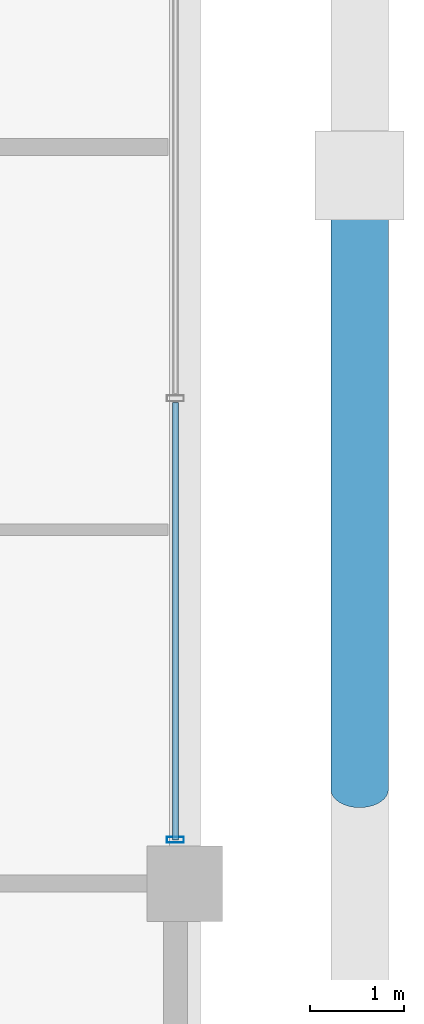
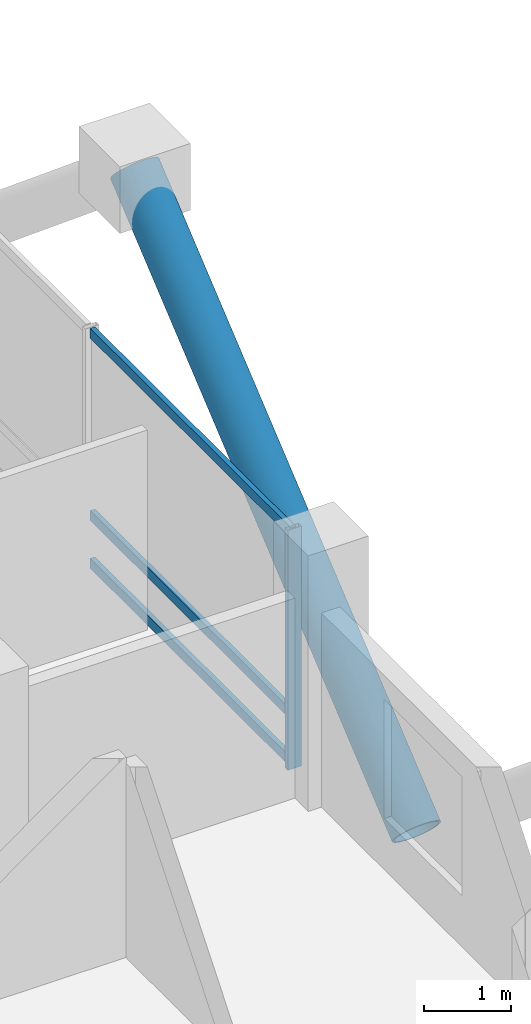
# One storey, part 8 of 23: 5 members, 1 element without a shape of its own.
"""IFC4 building model written with IfcOpenShell, lengths in metres."""

from ifc_helpers import new_model, si_unit, direction, frame, origin, origin_2d, place, context, subcontext, project, spatial, hollow_rectangle, hollow_circle, extrude, material, layer, layer_set, material_profile, profile_set, type_object, element, aggregate, save


model = new_model("IFC4")

# Units and contexts
model_context = context("Model", 3, precision=1e-05, world=origin(), true_north=direction((0.0, 1.0)))
body_context = subcontext(model_context, "Body", "Model", "MODEL_VIEW")
ifc_project = project(units=[si_unit("LENGTHUNIT", "METRE"), si_unit("AREAUNIT", "SQUARE_METRE"), si_unit("VOLUMEUNIT", "CUBIC_METRE"), si_unit("PLANEANGLEUNIT", "RADIAN"), si_unit("MASSUNIT", "GRAM", prefix="KILO")], contexts=[model_context])

# Site, building, storey
site_placement = place(None, origin())
site = spatial("IfcSite", under=ifc_project, at=site_placement, CompositionType="ELEMENT")
building_placement = place(site_placement, origin())
building = spatial("IfcBuilding", under=site, at=building_placement, Name="Barlavira Tower and Art Museum", CompositionType="ELEMENT")
storey_placement = place(building_placement, frame((0.0, 0.0, 68.39990234375)))
storey = spatial("IfcBuildingStorey", under=building, at=storey_placement, Name="L16", CompositionType="ELEMENT", Elevation=68.39990234375)

# Curtain wall, members
ifc_material_1 = material(Name="Low-iron coastal laminated glass", Category="glass")
ifc_layer = layer(ifc_material_1, 0.179931640625, Name="Low-iron coastal laminated glass")
ifc_layer_set = layer_set([ifc_layer], Name="Low-iron coastal laminated glass")
curtain_wall_type = type_object("IfcCurtainWallType", Name="Pale-Metal Unitised Curtain Wall Zone 1", PredefinedType="NOTDEFINED", material=ifc_layer_set)
curtain_wall_placement = place(storey_placement, origin())
curtain_wall = element("IfcCurtainWall", 1, at=curtain_wall_placement, inside=storey, type_object=curtain_wall_type, Name="L16 Curtain Wall CW1-L16-E-B3", PredefinedType="NOTDEFINED")
ifc_material_2 = material(Name="Pale anodised aluminium", Category="aluminium")
ifc_material_profile_1 = material_profile(ifc_material_2, hollow_rectangle(XDim=0.06494140625, YDim=0.179931640625, WallThickness=0.00390625, at=origin_2d()), Name="ALU-MULL 65x180x4")
ifc_profile_set_1 = profile_set([ifc_material_profile_1], Name="Pale anodised aluminium")
member_type_1 = type_object("IfcMemberType", Name="Curtain Wall Pale-Metal Mullion 65x180", PredefinedType="MULLION", material=ifc_profile_set_1)
member_1_placement = place(storey_placement, frame((21.89990234375, -7.034912109375, 0.0), z_axis=(0.0, 0.0, 1.0), x_axis=(0.0, 1.0, 0.0)))
member_1 = element("IfcMember", 2, at=member_1_placement, type_object=member_type_1, Name="CW1-L16-E-B3 Mullion 0", PredefinedType="MULLION", context=body_context, shape_type="SweptSolid", body=[
    extrude(hollow_rectangle(XDim=0.06494140625, YDim=0.179931640625, WallThickness=0.00390625, at=origin_2d()), origin(), (0.0, 0.0, 1.0), 3.380126953125),
])
ifc_material_profile_2 = material_profile(ifc_material_2, hollow_rectangle(XDim=0.06494140625, YDim=0.139892578125, WallThickness=0.00390625, at=origin_2d()), Name="ALU-TRAN 65x140x4")
ifc_profile_set_2 = profile_set([ifc_material_profile_2], Name="Pale anodised aluminium")
member_type_2 = type_object("IfcMemberType", Name="Curtain Wall Pale-Metal Transom 65x140", PredefinedType="USERDEFINED", material=ifc_profile_set_2)
member_2_placement = place(storey_placement, frame((21.89990234375, -7.034912109375, 0.070068359375), z_axis=(0.0, 1.0, 0.0), x_axis=(-1.0, 0.0, 0.0)))
member_2 = element("IfcMember", 3, at=member_2_placement, type_object=member_type_2, Name="CW1-L16-E-B3 Transom 0.1", ObjectType="TRANSOM", PredefinedType="USERDEFINED", context=body_context, shape_type="SweptSolid", body=[
    extrude(hollow_rectangle(XDim=0.06494140625, YDim=0.139892578125, WallThickness=0.00390625, at=origin_2d()), origin(), (0.0, 0.0, 1.0), 4.6298828125),
])
member_3_placement = place(storey_placement, frame((21.89990234375, -7.034912109375, 0.744140625), z_axis=(0.0, 1.0, 0.0), x_axis=(-1.0, 0.0, 0.0)))
member_3 = element("IfcMember", 4, at=member_3_placement, type_object=member_type_2, Name="CW1-L16-E-B3 Transom 0.2", ObjectType="TRANSOM", PredefinedType="USERDEFINED", context=body_context, shape_type="SweptSolid", body=[
    extrude(hollow_rectangle(XDim=0.06494140625, YDim=0.139892578125, WallThickness=0.00390625, at=origin_2d()), origin(), (0.0, 0.0, 1.0), 4.6298828125),
])
member_4_placement = place(storey_placement, frame((21.89990234375, -7.034912109375, 3.31005859375), z_axis=(0.0, 1.0, 0.0), x_axis=(-1.0, 0.0, 0.0)))
member_4 = element("IfcMember", 5, at=member_4_placement, type_object=member_type_2, Name="CW1-L16-E-B3 Transom 0.3", ObjectType="TRANSOM", PredefinedType="USERDEFINED", context=body_context, shape_type="SweptSolid", body=[
    extrude(hollow_rectangle(XDim=0.06494140625, YDim=0.139892578125, WallThickness=0.00390625, at=origin_2d()), origin(), (0.0, 0.0, 1.0), 4.6298828125),
])
aggregate(curtain_wall, [member_1, member_2, member_3, member_4])

# Member
ifc_material_3 = material(Name="Steel S355", Category="steel")
ifc_material_profile_3 = material_profile(ifc_material_3, hollow_circle(Radius=0.304931640625, WallThickness=0.028076171875, at=origin_2d()), Name="CHS 610.0x28.0")
ifc_profile_set_3 = profile_set([ifc_material_profile_3], Name="Steel S355")
member_type_3 = type_object("IfcMemberType", Name="Pale-Metal Exoskeleton Diagrid Tube CHS 610x28 Steel S355", PredefinedType="BRACE", material=ifc_profile_set_3)
member_5_placement = place(storey_placement, frame((23.85009765625, -6.5, -1.919921875), z_axis=(0.0, 0.769196053329, 0.639012857104), x_axis=(-1.0, 0.0, 0.0)))
element("IfcMember", 6, at=member_5_placement, inside=storey, type_object=member_type_3, Name="L16 Exoskeleton Diagrid Tube E", PredefinedType="BRACE", context=body_context, shape_type="SweptSolid", body=[
    extrude(hollow_circle(Radius=0.304931640625, WallThickness=0.028076171875, at=origin_2d()), origin(), (0.0, 0.0, 1.0), 8.450439453125),
])

save(model, "model.ifc")
